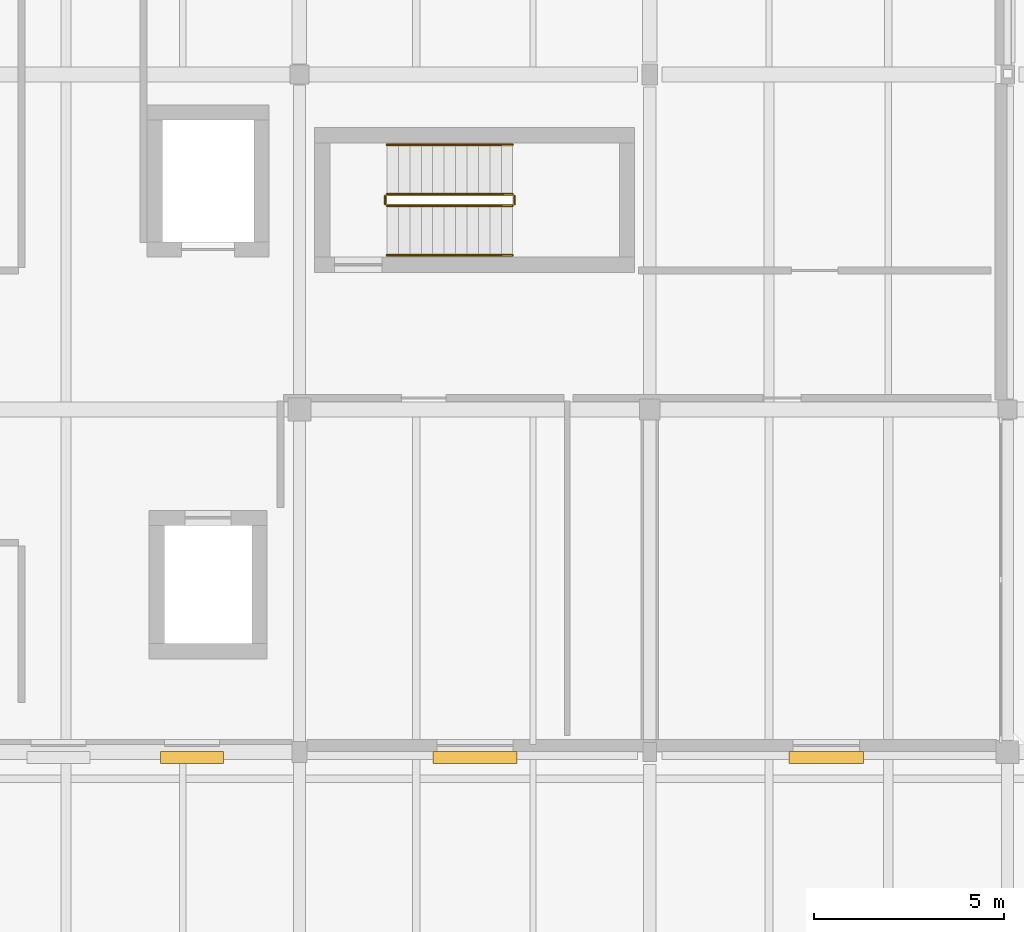
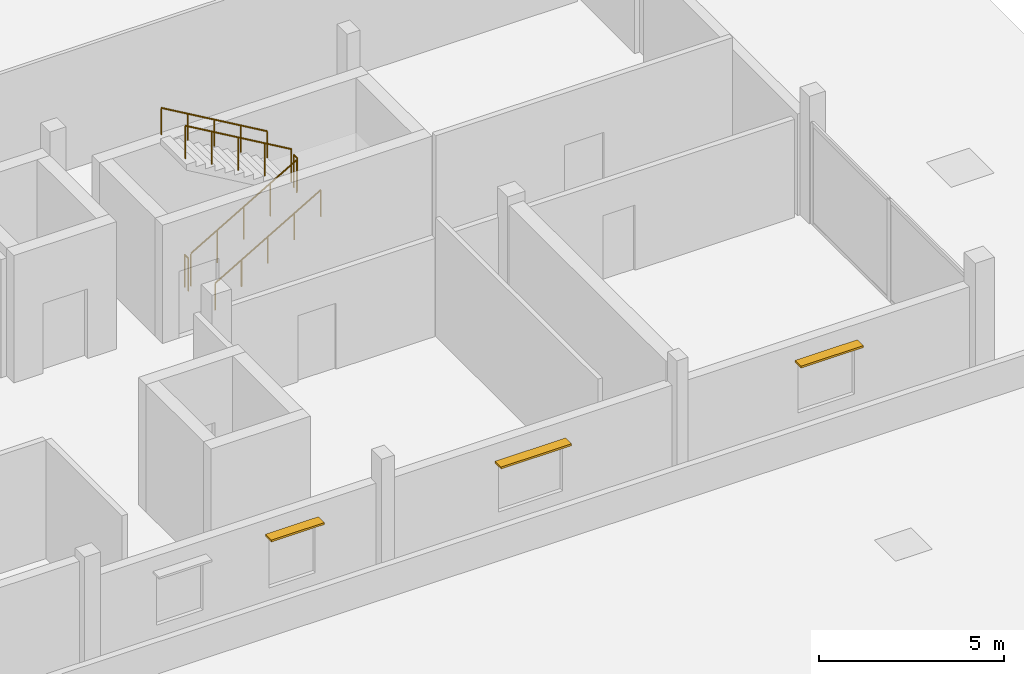
# One storey, part 64 of 66: 6 railings, 3 shading devices.
"""IFC4 building model written with IfcOpenShell, lengths in metres."""

from ifc_helpers import new_model, si_unit, direction, frame, origin, origin_2d, place, context, subcontext, project, spatial, rectangle, circle, extrude, material, type_object, element, save


model = new_model("IFC4")

# Units and contexts
model_context = context("Model", 3, precision=1e-05, world=origin(), true_north=direction((0.0, 1.0)))
body_context = subcontext(model_context, "Body", "Model", "MODEL_VIEW")
ifc_project = project(units=[si_unit("LENGTHUNIT", "METRE"), si_unit("AREAUNIT", "SQUARE_METRE"), si_unit("VOLUMEUNIT", "CUBIC_METRE"), si_unit("PLANEANGLEUNIT", "RADIAN"), si_unit("MASSUNIT", "GRAM", prefix="KILO")], contexts=[model_context])

# Site, building, storey
site_placement = place(None, origin())
site = spatial("IfcSite", under=ifc_project, at=site_placement, CompositionType="ELEMENT")
building_placement = place(site_placement, origin())
building = spatial("IfcBuilding", under=site, at=building_placement, Name="Birchvale Park Specialist Clinic", CompositionType="ELEMENT")
storey_placement = place(building_placement, frame((0.0, 0.0, 5.39990234375)))
storey = spatial("IfcBuildingStorey", under=building, at=storey_placement, Name="L01", CompositionType="ELEMENT", Elevation=5.39990234375)

# Railings
ifc_material_1 = material(Name="Brushed stainless steel guard railing", Category="steel")
railing_type_1 = type_object("IfcRailingType", Name="RL-GRD1", PredefinedType="GUARDRAIL", material=ifc_material_1)
railing_1_placement = place(storey_placement, frame((139.5, 31.14990234375, 0.175048828125)))
element("IfcRailing", 1, at=railing_1_placement, inside=storey, type_object=railing_type_1, Name="L01 ST6 stair guard 1", PredefinedType="GUARDRAIL", context=body_context, shape_type="SweptSolid", body=[
    extrude(circle(Radius=0.02392578125, at=origin_2d()), frame((0.0, 0.0, 1.076171875), z_axis=(0.863776583165, 0.0, 0.503874998761), x_axis=(0.0, 1.0, 0.0)), (0.0, 0.0, 1.0), 3.820556640625),
    extrude(circle(Radius=0.02099609375, at=origin_2d()), origin(), (0.0, 0.0, 1.0), 1.052001953125),
    extrude(circle(Radius=0.02099609375, at=origin_2d()), frame((0.824951171875, 0.0, 0.481201171875)), (0.0, 0.0, 1.0), 1.052001953125),
    extrude(circle(Radius=0.02099609375, at=origin_2d()), frame((1.64990234375, 0.0, 0.96240234375)), (0.0, 0.0, 1.0), 1.052001953125),
    extrude(circle(Radius=0.02099609375, at=origin_2d()), frame((2.47509765625, 0.0, 1.44384765625)), (0.0, 0.0, 1.0), 1.052001953125),
    extrude(circle(Radius=0.02099609375, at=origin_2d()), frame((3.300048828125, 0.0, 1.925048828125)), (0.0, 0.0, 1.0), 1.052001953125),
])
railing_2_placement = place(storey_placement, frame((142.85009765625, 31.199951171875, 2.10009765625)))
element("IfcRailing", 2, at=railing_2_placement, inside=storey, type_object=railing_type_1, Name="L01 ST6 stair guard 2", PredefinedType="GUARDRAIL", context=body_context, shape_type="SweptSolid", body=[
    extrude(circle(Radius=0.02392578125, at=origin_2d()), frame((0.0, 0.0, 1.076171875), z_axis=(0.0, 1.0, 0.0), x_axis=(-1.0, 0.0, 0.0)), (0.0, 0.0, 1.0), 0.199951171875),
    extrude(circle(Radius=0.02099609375, at=origin_2d()), origin(), (0.0, 0.0, 1.0), 1.052001953125),
    extrude(circle(Radius=0.02099609375, at=origin_2d()), frame((0.0, 0.199951171875, 0.0)), (0.0, 0.0, 1.0), 1.052001953125),
])
railing_3_placement = place(storey_placement, frame((142.800048828125, 31.449951171875, 2.275146484375)))
element("IfcRailing", 3, at=railing_3_placement, inside=storey, type_object=railing_type_1, Name="L01 ST6 stair guard 3", PredefinedType="GUARDRAIL", context=body_context, shape_type="SweptSolid", body=[
    extrude(circle(Radius=0.02392578125, at=origin_2d()), frame((0.0, 0.0, 1.076171875), z_axis=(-0.863776583165, 0.0, 0.503874998761), x_axis=(0.0, -1.0, 0.0)), (0.0, 0.0, 1.0), 3.820556640625),
    extrude(circle(Radius=0.02099609375, at=origin_2d()), origin(), (0.0, 0.0, 1.0), 1.052001953125),
    extrude(circle(Radius=0.02099609375, at=origin_2d()), frame((-0.824951171875, 0.0, 0.481201171875)), (0.0, 0.0, 1.0), 1.052001953125),
    extrude(circle(Radius=0.02099609375, at=origin_2d()), frame((-1.64990234375, 0.0, 0.96240234375)), (0.0, 0.0, 1.0), 1.052001953125),
    extrude(circle(Radius=0.02099609375, at=origin_2d()), frame((-2.47509765625, 0.0, 1.44384765625)), (0.0, 0.0, 1.0), 1.052001953125),
    extrude(circle(Radius=0.02099609375, at=origin_2d()), frame((-3.300048828125, 0.0, 1.925048828125)), (0.0, 0.0, 1.0), 1.052001953125),
])
railing_4_placement = place(storey_placement, frame((139.449951171875, 31.199951171875, 0.0)))
element("IfcRailing", 4, at=railing_4_placement, inside=storey, type_object=railing_type_1, Name="L01 ST6 stair guard 4", PredefinedType="GUARDRAIL", context=body_context, shape_type="SweptSolid", body=[
    extrude(circle(Radius=0.02392578125, at=origin_2d()), frame((0.0, 0.0, 1.076171875), z_axis=(0.0, 1.0, 0.0), x_axis=(-1.0, 0.0, 0.0)), (0.0, 0.0, 1.0), 0.199951171875),
    extrude(circle(Radius=0.02099609375, at=origin_2d()), origin(), (0.0, 0.0, 1.0), 1.052001953125),
    extrude(circle(Radius=0.02099609375, at=origin_2d()), frame((0.0, 0.199951171875, 0.0)), (0.0, 0.0, 1.0), 1.052001953125),
])
ifc_material_2 = material(Name="Anodised aluminium handrail", Category="aluminium")
railing_type_2 = type_object("IfcRailingType", Name="RL-HND1", PredefinedType="HANDRAIL", material=ifc_material_2)
railing_5_placement = place(storey_placement, frame((139.5, 29.85009765625, 0.175048828125)))
element("IfcRailing", 5, at=railing_5_placement, inside=storey, type_object=railing_type_2, Name="L01 ST6 stair handrail 1", PredefinedType="HANDRAIL", context=body_context, shape_type="SweptSolid", body=[
    extrude(circle(Radius=0.02392578125, at=origin_2d()), frame((0.0, 0.0, 0.8759765625), z_axis=(0.863776583165, 0.0, 0.503874998761), x_axis=(0.0, 1.0, 0.0)), (0.0, 0.0, 1.0), 3.820556640625),
    extrude(circle(Radius=0.02099609375, at=origin_2d()), origin(), (0.0, 0.0, 1.0), 0.851806640625),
    extrude(circle(Radius=0.02099609375, at=origin_2d()), frame((0.824951171875, 0.0, 0.481201171875)), (0.0, 0.0, 1.0), 0.851806640625),
    extrude(circle(Radius=0.02099609375, at=origin_2d()), frame((1.64990234375, 0.0, 0.96240234375)), (0.0, 0.0, 1.0), 0.851806640625),
    extrude(circle(Radius=0.02099609375, at=origin_2d()), frame((2.47509765625, 0.0, 1.44384765625)), (0.0, 0.0, 1.0), 0.851806640625),
    extrude(circle(Radius=0.02099609375, at=origin_2d()), frame((3.300048828125, 0.0, 1.925048828125)), (0.0, 0.0, 1.0), 0.851806640625),
])
railing_6_placement = place(storey_placement, frame((142.800048828125, 32.75, 2.275146484375)))
element("IfcRailing", 6, at=railing_6_placement, inside=storey, type_object=railing_type_2, Name="L01 ST6 stair handrail 2", PredefinedType="HANDRAIL", context=body_context, shape_type="SweptSolid", body=[
    extrude(circle(Radius=0.02392578125, at=origin_2d()), frame((0.0, 0.0, 0.8759765625), z_axis=(-0.863776583165, 0.0, 0.503874998761), x_axis=(0.0, -1.0, 0.0)), (0.0, 0.0, 1.0), 3.820556640625),
    extrude(circle(Radius=0.02099609375, at=origin_2d()), origin(), (0.0, 0.0, 1.0), 0.851806640625),
    extrude(circle(Radius=0.02099609375, at=origin_2d()), frame((-0.824951171875, 0.0, 0.481201171875)), (0.0, 0.0, 1.0), 0.851806640625),
    extrude(circle(Radius=0.02099609375, at=origin_2d()), frame((-1.64990234375, 0.0, 0.96240234375)), (0.0, 0.0, 1.0), 0.851806640625),
    extrude(circle(Radius=0.02099609375, at=origin_2d()), frame((-2.47509765625, 0.0, 1.44384765625)), (0.0, 0.0, 1.0), 0.851806640625),
    extrude(circle(Radius=0.02099609375, at=origin_2d()), frame((-3.300048828125, 0.0, 1.925048828125)), (0.0, 0.0, 1.0), 0.851806640625),
])

# Shading devices
ifc_material_3 = material(Name="Nordic larch solar louvre")
shading_device_type = type_object("IfcShadingDeviceType", Name="SHD-LVR1", PredefinedType="JALOUSIE", material=ifc_material_3)
shading_device_1_placement = place(storey_placement, frame((134.376953125, 16.659912109375, 2.697509765625), z_axis=(0.0, 0.0, 1.0), x_axis=(1.0, 0.0, 0.0)))
element("IfcShadingDevice", 7, at=shading_device_1_placement, inside=storey, type_object=shading_device_type, Name="V5 L01 timber sun louvre 21", PredefinedType="JALOUSIE", context=body_context, shape_type="SweptSolid", body=[
    extrude(rectangle(XDim=1.64990234375, YDim=0.320068359375, at=origin_2d()), origin(), (0.0, 0.0, 1.0), 0.06494140625),
])
shading_device_2_placement = place(storey_placement, frame((141.8125, 16.659912109375, 2.59765625), z_axis=(0.0, 0.0, 1.0), x_axis=(1.0, 0.0, 0.0)))
element("IfcShadingDevice", 8, at=shading_device_2_placement, inside=storey, type_object=shading_device_type, Name="V5 L01 timber sun louvre 22", PredefinedType="JALOUSIE", context=body_context, shape_type="SweptSolid", body=[
    extrude(rectangle(XDim=2.199951171875, YDim=0.320068359375, at=origin_2d()), origin(), (0.0, 0.0, 1.0), 0.06494140625),
])
shading_device_3_placement = place(storey_placement, frame((151.03759765625, 16.659912109375, 2.647705078125), z_axis=(0.0, 0.0, 1.0), x_axis=(1.0, 0.0, 0.0)))
element("IfcShadingDevice", 9, at=shading_device_3_placement, inside=storey, type_object=shading_device_type, Name="V5 L01 timber sun louvre 23", PredefinedType="JALOUSIE", context=body_context, shape_type="SweptSolid", body=[
    extrude(rectangle(XDim=1.949951171875, YDim=0.320068359375, at=origin_2d()), origin(), (0.0, 0.0, 1.0), 0.06494140625),
])

save(model, "model.ifc")
